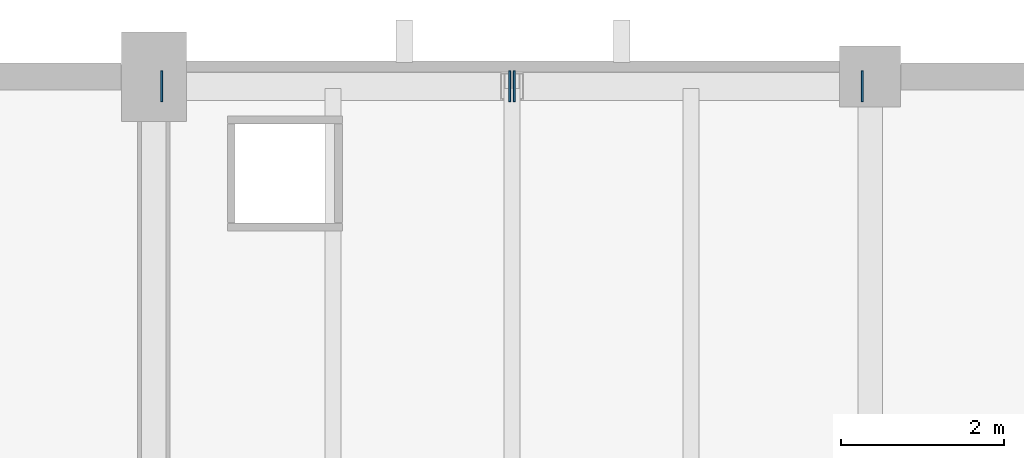
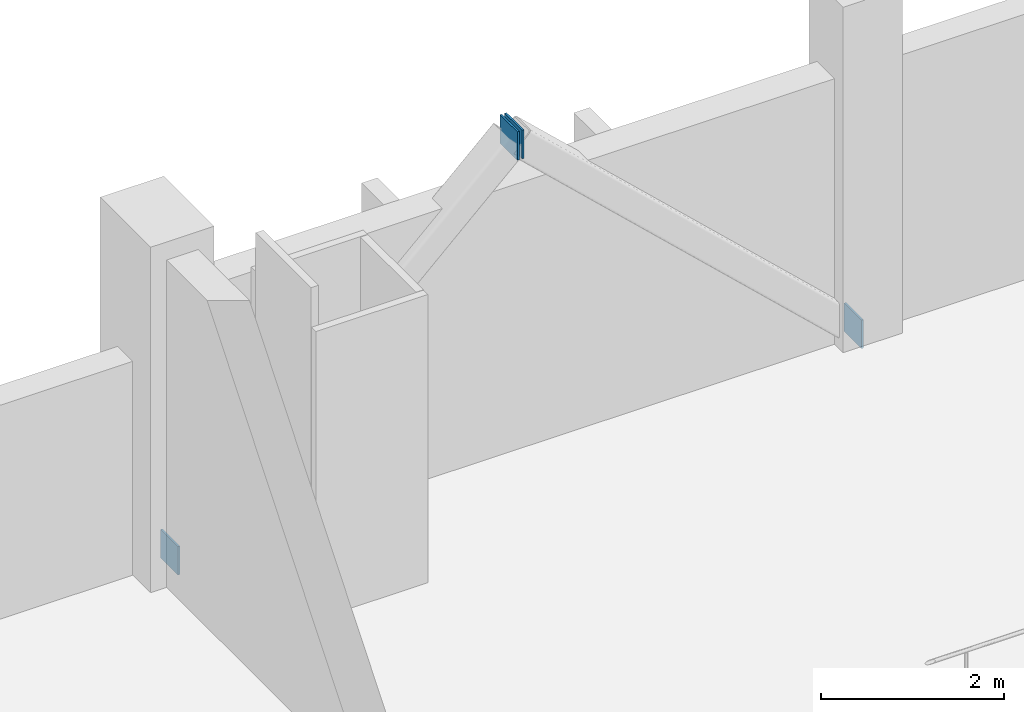
# One storey, part 57 of 74: 4 plates.
"""IFC4 building model written with IfcOpenShell, lengths in metres."""

import ifcopenshell
import ifcopenshell.guid

model = None  # the IFC model being written
_history = None  # IfcOwnerHistory: only IFC2X3 demands one
_inside = {}  # id of a spatial element -> (the spatial element, [elements in it])
_under = {}  # id of a project, library or spatial element -> (it, [spatial elements below it])
_declared = {}  # id of a project -> (the project, [libraries it declares])
_typed = {}  # id of a type object -> (the type object, [elements of that type])
_made_of = {}  # id of a material, layer set ... -> (it, [elements and type objects made of it])


def new_model(schema):
    """Start an empty IFC model of exactly this schema.

    Asked for "IFC4X3", IfcOpenShell would pick the latest addendum, in which some entities
    have other attributes; the version numbers below select the first issue.
    IFC2X3 requires an IfcOwnerHistory on every rooted entity: one is made here for all.
    """
    global model, _history
    if schema == "IFC4X3":
        model = ifcopenshell.file(schema_version=(4, 3, 0, 0))
    else:
        model = ifcopenshell.file(schema=schema)
    _inside.clear()
    _under.clear()
    _declared.clear()
    _typed.clear()
    _made_of.clear()
    _history = None
    if model.schema == "IFC2X3":
        org = make("IfcOrganization", Name="unknown")
        user = make(
            "IfcPersonAndOrganization",
            ThePerson=make("IfcPerson", FamilyName="unknown"),
            TheOrganization=org,
        )
        app = make(
            "IfcApplication",
            ApplicationDeveloper=org,
            Version="unknown",
            ApplicationFullName="unknown",
            ApplicationIdentifier="unknown",
        )
        _history = make(
            "IfcOwnerHistory",
            OwningUser=user,
            OwningApplication=app,
            ChangeAction="ADDED",
            CreationDate=0,
        )
    return model


def make(cls, **values):
    """One entity of the class cls with the attributes given. An attribute that is None is left unset."""
    return model.create_entity(
        cls, **{name: value for name, value in values.items() if value is not None}
    )


def rooted(cls, **values):
    """An entity with a GlobalId (a new one), such as an element, a storey or a relation."""
    return make(cls, GlobalId=ifcopenshell.guid.new(), OwnerHistory=_history, **values)


def si_unit(unit_type, name, prefix=None):
    """IfcSIUnit, for example si_unit("LENGTHUNIT", "METRE", prefix="MILLI")."""
    return make("IfcSIUnit", UnitType=unit_type, Prefix=prefix, Name=name)


def assignment(units):
    """IfcUnitAssignment: the units of a project."""
    return None if units is None else make("IfcUnitAssignment", Units=units)


def point(xyz):
    """IfcCartesianPoint."""
    return None if xyz is None else make("IfcCartesianPoint", Coordinates=xyz)


def direction(xyz):
    """IfcDirection."""
    return None if xyz is None else make("IfcDirection", DirectionRatios=xyz)


def frame(location, z_axis=None, x_axis=None):
    """IfcAxis2Placement3D, a coordinate frame: its origin and axes. An axis left out is left unset."""
    return make(
        "IfcAxis2Placement3D",
        Location=point(location),
        Axis=direction(z_axis),
        RefDirection=direction(x_axis),
    )


def frame_2d(location, x_axis=None):
    """IfcAxis2Placement2D, a coordinate frame in the plane: its origin and x axis."""
    return make(
        "IfcAxis2Placement2D", Location=point(location), RefDirection=direction(x_axis)
    )


def origin():
    """The frame at (0, 0, 0) with its axes left unset."""
    return frame((0.0, 0.0, 0.0))


def origin_2d():
    """The frame at (0, 0) in the plane with its x axis left unset."""
    return frame_2d((0.0, 0.0))


def place(relative_to, where):
    """IfcLocalPlacement: puts the frame where relative to a parent placement (None: the world)."""
    return make(
        "IfcLocalPlacement", PlacementRelTo=relative_to, RelativePlacement=where
    )


def context(
    kind, dimensions, precision=None, world=None, true_north=None, identifier=None
):
    """IfcGeometricRepresentationContext, for example the 3D "Model" context."""
    return make(
        "IfcGeometricRepresentationContext",
        ContextIdentifier=identifier,
        ContextType=kind,
        CoordinateSpaceDimension=dimensions,
        Precision=precision,
        WorldCoordinateSystem=world,
        TrueNorth=true_north,
    )


def subcontext(parent, identifier, kind, view, scale=None):
    """IfcGeometricRepresentationSubContext, for example "Body" below "Model"."""
    return make(
        "IfcGeometricRepresentationSubContext",
        ContextIdentifier=identifier,
        ContextType=kind,
        ParentContext=parent,
        TargetScale=scale,
        TargetView=view,
    )


def project(units=None, contexts=None):
    """IfcProject with its units and contexts."""
    return rooted(
        "IfcProject",
        Name="project",
        RepresentationContexts=contexts,
        UnitsInContext=assignment(units),
    )


def spatial(cls, under=None, at=None, **own):
    """A site, building, storey or space (cls), placed at a placement, below another one or the project."""
    s = rooted(cls, ObjectPlacement=at, **own)
    if under is not None:
        _under.setdefault(under.id(), (under, []))[1].append(s)
    return s


def profile(cls, at=None, kind="AREA", **sizes):
    """A parametric profile (cls). Its sizes go by their IFC names, for example OverallWidth=200.0."""
    return make(cls, ProfileType=kind, Position=at, **sizes)


def rectangle(**sizes):
    """IfcRectangleProfileDef."""
    return profile("IfcRectangleProfileDef", **sizes)


def extrude(swept, where, along, depth):
    """IfcExtrudedAreaSolid: the profile swept, set in the frame where, extruded along a direction by depth."""
    return make(
        "IfcExtrudedAreaSolid",
        SweptArea=swept,
        Position=where,
        ExtrudedDirection=direction(along),
        Depth=depth,
    )


def shape(context_of_items, identifier, shape_type, items):
    """IfcShapeRepresentation: the items that make up one representation, for example the "Body"."""
    return make(
        "IfcShapeRepresentation",
        ContextOfItems=context_of_items,
        RepresentationIdentifier=identifier,
        RepresentationType=shape_type,
        Items=items,
    )


def material(Name=None, Category=None):
    """IfcMaterial."""
    return make("IfcMaterial", Name=Name, Category=Category)


def layer(
    of_material, thickness, ventilated=None, Name=None, Category=None, Priority=None
):
    """IfcMaterialLayer: one layer of a wall or slab, of a material (None: an air gap)."""
    return make(
        "IfcMaterialLayer",
        Material=of_material,
        LayerThickness=thickness,
        IsVentilated=ventilated,
        Name=Name,
        Category=Category,
        Priority=Priority,
    )


def layer_set(layers, Name=None):
    """IfcMaterialLayerSet."""
    return make("IfcMaterialLayerSet", MaterialLayers=layers, LayerSetName=Name)


def made_of(thing, what):
    """Note that an element or type object is made of a material, layer set ...; save() writes the relation."""
    if what is not None:
        _made_of.setdefault(what.id(), (what, []))[1].append(thing)
    return thing


def type_object(cls, material=None, **own):
    """A type object (cls), such as IfcWallType, which elements share."""
    return made_of(rooted(cls, **own), material)


def element(
    cls,
    number,
    at=None,
    inside=None,
    cuts=None,
    type_object=None,
    material=None,
    context=None,
    identifier="Body",
    shape_type=None,
    held_by="IfcProductDefinitionShape",
    body=None,
    shapes=None,
    **own,
):
    """One element of the class cls, such as IfcWall. Its Tag is "e" and its number.

    at: its placement. inside: the storey or other place that contains it. cuts: it is an
    opening in that element (IfcRelVoidsElement). A single representation is given by context,
    identifier, shape_type and body (its items); several are given by shapes. held_by: the class
    of the entity that holds the representations. save() writes the other relations.
    """
    e = rooted(cls, Tag="e%d" % number, ObjectPlacement=at, **own)
    if body is not None:
        shapes = [shape(context, identifier, shape_type, body)]
    if shapes is not None:
        e.Representation = make(held_by, Representations=shapes)
    if inside is not None:
        _inside.setdefault(inside.id(), (inside, []))[1].append(e)
    if cuts is not None:
        rooted(
            "IfcRelVoidsElement", RelatingBuildingElement=cuts, RelatedOpeningElement=e
        )
    if type_object is not None:
        _typed.setdefault(type_object.id(), (type_object, []))[1].append(e)
    return made_of(e, material)


def aggregate(whole, parts):
    """IfcRelAggregates: a whole, such as a stair, and the parts it consists of."""
    return rooted("IfcRelAggregates", RelatingObject=whole, RelatedObjects=parts)


def save(model, path):
    """Write the relations noted so far, then the file.

    IfcRelAggregates (storeys below a building ...), IfcRelContainedInSpatialStructure (elements
    in a storey), IfcRelDefinesByType, IfcRelAssociatesMaterial and IfcRelDeclares: one each for
    every whole, place, type object, material and project.
    """
    for whole, parts in _under.values():
        aggregate(whole, parts)
    for where, things in _inside.values():
        rooted(
            "IfcRelContainedInSpatialStructure",
            RelatedElements=things,
            RelatingStructure=where,
        )
    for kind, things in _typed.values():
        rooted("IfcRelDefinesByType", RelatedObjects=things, RelatingType=kind)
    for what, things in _made_of.values():
        rooted("IfcRelAssociatesMaterial", RelatedObjects=things, RelatingMaterial=what)
    for by, libraries in _declared.values():
        rooted("IfcRelDeclares", RelatingContext=by, RelatedDefinitions=libraries)
    model.write(path)


model = new_model("IFC4")

# Units and contexts
model_context = context("Model", 3, precision=1e-05, world=origin(), true_north=direction((0.0, 1.0)))
body_context = subcontext(model_context, "Body", "Model", "MODEL_VIEW")
ifc_project = project(units=[si_unit("LENGTHUNIT", "METRE"), si_unit("AREAUNIT", "SQUARE_METRE"), si_unit("VOLUMEUNIT", "CUBIC_METRE"), si_unit("PLANEANGLEUNIT", "RADIAN"), si_unit("MASSUNIT", "GRAM", prefix="KILO")], contexts=[model_context])

# Site, building, storey
site_placement = place(None, origin())
site = spatial("IfcSite", under=ifc_project, at=site_placement, CompositionType="ELEMENT")
building_placement = place(site_placement, origin())
building = spatial("IfcBuilding", under=site, at=building_placement, Name="Shengluoqiao Park Theatre", CompositionType="ELEMENT")
storey_placement = place(building_placement, frame((0.0, 0.0, 14.60009765625)))
storey = spatial("IfcBuildingStorey", under=building, at=storey_placement, Name="L03", CompositionType="ELEMENT", Elevation=14.60009765625)

# Plates
ifc_material = material(Name="Steel Q390", Category="steel")
ifc_layer = layer(ifc_material, 0.02392578125, Name="Steel Q390")
ifc_layer_set = layer_set([ifc_layer], Name="Steel Q390")
plate_type = type_object("IfcPlateType", Name="STR-PLT-EC-360", PredefinedType="SHEET", material=ifc_layer_set)
for number, where, z_axis, x_axis, name in (
    (1, (86.49462890625, 113.8798828125, -0.08154296875), (0.0, 0.0, 1.0), (1.0, 0.0, 0.0), "Hollow Tube End Cap Plate 00132"),
    (2, (90.771484375, 113.8798828125, 3.94384765625), (0.0, 0.0, 1.0), (1.0, 0.0, 0.0), "Hollow Tube End Cap Plate 00133"),
    (3, (95.10546875, 113.8798828125, -0.08154296875), (0.0, 0.0, 1.0), (-1.0, 0.0, 0.0), "Hollow Tube End Cap Plate 00134"),
    (4, (90.82861328125, 113.8798828125, 3.94384765625), (0.0, 0.0, 1.0), (-1.0, 0.0, 0.0), "Hollow Tube End Cap Plate 00135"),
):
    element("IfcPlate", number, at=place(storey_placement, frame(where, z_axis=z_axis, x_axis=x_axis)), inside=storey, type_object=plate_type, Name=name, PredefinedType="SHEET", context=body_context, shape_type="SweptSolid", body=[
        extrude(rectangle(XDim=0.02392578125, YDim=0.3798828125, at=origin_2d()), origin(), (0.0, 0.0, 1.0), 0.3798828125),
    ])

save(model, "model.ifc")
